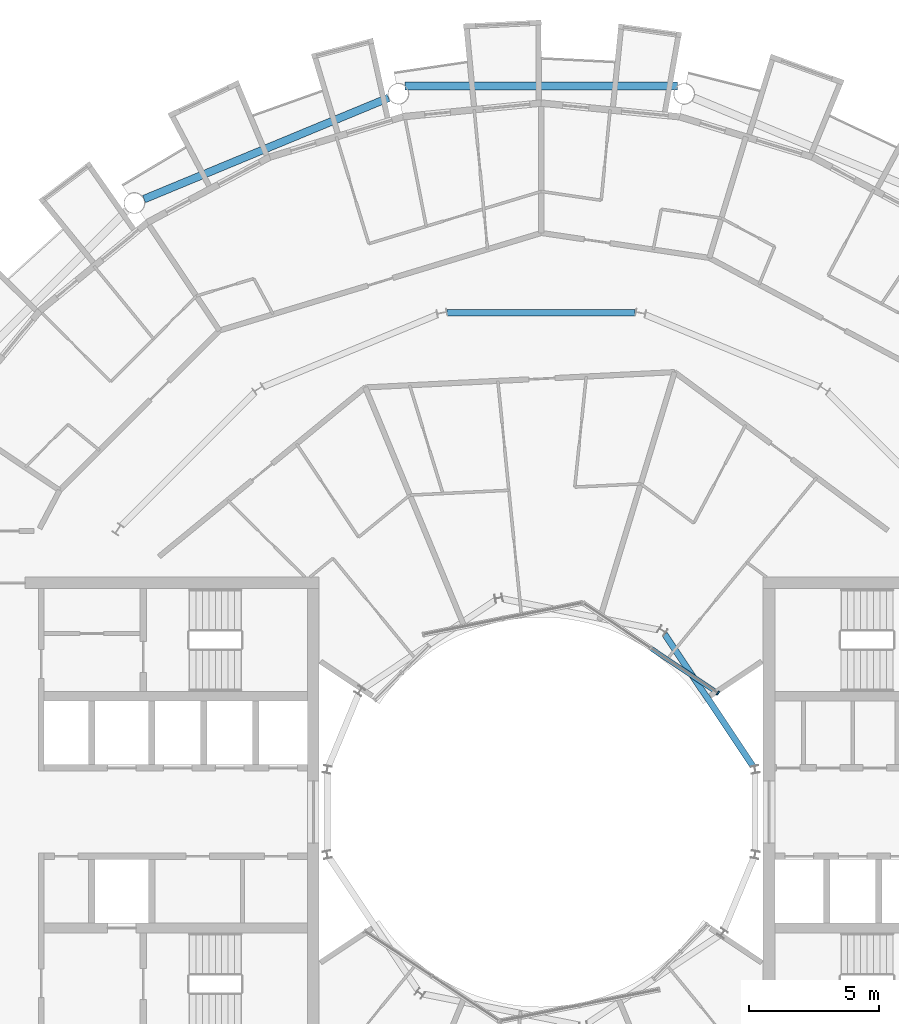
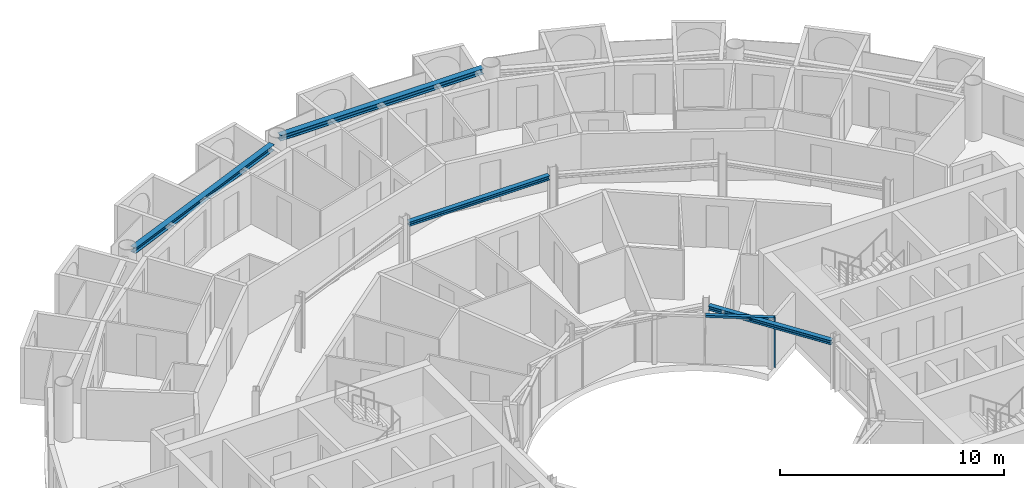
# One storey, part 10 of 29: 4 beams, 2 members, 1 element without a shape of its own.
"""IFC4 building model written with IfcOpenShell, lengths in metres."""

from ifc_helpers import new_model, si_unit, direction, frame, origin, origin_2d, place, context, subcontext, project, spatial, rectangle, i_section, extrude, material, layer, layer_set, material_profile, profile_set, type_object, element, aggregate, save


model = new_model("IFC4")

# Units and contexts
model_context = context("Model", 3, precision=1e-05, world=origin(), true_north=direction((0.0, 1.0)))
body_context = subcontext(model_context, "Body", "Model", "MODEL_VIEW")
ifc_project = project(units=[si_unit("LENGTHUNIT", "METRE"), si_unit("AREAUNIT", "SQUARE_METRE"), si_unit("VOLUMEUNIT", "CUBIC_METRE"), si_unit("PLANEANGLEUNIT", "RADIAN"), si_unit("MASSUNIT", "GRAM", prefix="KILO")], contexts=[model_context])

# Site, building, storey
site_placement = place(None, origin())
site = spatial("IfcSite", under=ifc_project, at=site_placement, CompositionType="ELEMENT")
building_placement = place(site_placement, origin())
building = spatial("IfcBuilding", under=site, at=building_placement, Name="Maasbend Ring Residences", CompositionType="ELEMENT")
storey_placement = place(building_placement, frame((0.0, 0.0, 205.449951171875)))
storey = spatial("IfcBuildingStorey", under=building, at=storey_placement, Name="L59", CompositionType="ELEMENT", Elevation=205.449951171875)

# Curtain wall, members
ifc_material_1 = material(Name="Aluminium and clear glass", Category="aluminium")
ifc_layer = layer(ifc_material_1, 0.179931640625)
ifc_layer_set = layer_set([ifc_layer], Name="CW-W")
curtain_wall_type = type_object("IfcCurtainWallType", Name="CW-W", PredefinedType="NOTDEFINED", material=ifc_layer_set)
curtain_wall_placement = place(storey_placement, origin())
curtain_wall = element("IfcCurtainWall", 1, at=curtain_wall_placement, inside=storey, type_object=curtain_wall_type, Name="Well curtain wall N1", PredefinedType="NOTDEFINED")
ifc_material_2 = material(Name="Aluminium 6063-T6", Category="aluminium")
ifc_material_profile_1 = material_profile(ifc_material_2, rectangle(XDim=0.179931640625, YDim=0.06005859375, at=origin_2d()), Name="AL 180x60")
ifc_profile_set_1 = profile_set([ifc_material_profile_1], Name="Aluminium 6063-T6")
member_type_1 = type_object("IfcMemberType", Name="CWM-W", PredefinedType="MULLION", material=ifc_profile_set_1)
member_1_placement = place(storey_placement, frame((6.805908203125, 4.580810546875, 0.0), z_axis=(0.0, 0.0, 1.0), x_axis=(-0.55557023302, -0.831469612303, 0.0)))
member_1 = element("IfcMember", 2, at=member_1_placement, type_object=member_type_1, Name="Mullion well face", PredefinedType="MULLION", context=body_context, shape_type="SweptSolid", body=[
    extrude(rectangle(XDim=0.179931640625, YDim=0.06005859375, at=origin_2d()), origin(), (0.0, 0.0, 1.0), 2.699951171875),
])
ifc_material_3 = material(Name="Aluminium 6063-T6", Category="aluminium")
ifc_material_profile_2 = material_profile(ifc_material_3, rectangle(XDim=0.179931640625, YDim=0.1201171875, at=origin_2d()), Name="AL 180x120")
ifc_profile_set_2 = profile_set([ifc_material_profile_2], Name="Aluminium 6063-T6")
member_type_2 = type_object("IfcMemberType", Name="CWT-W", PredefinedType="USERDEFINED", material=ifc_profile_set_2)
member_2_placement = place(storey_placement, frame((6.781005859375, 4.59765625, 2.64013671875), z_axis=(-0.831496422459, 0.555530106689, 0.0), x_axis=(-0.555530106689, -0.831496422459, 0.0)))
member_2 = element("IfcMember", 3, at=member_2_placement, type_object=member_type_2, Name="Transom well face", ObjectType="TRANSOM", PredefinedType="USERDEFINED", context=body_context, shape_type="SweptSolid", body=[
    extrude(rectangle(XDim=0.179931640625, YDim=0.1201171875, at=origin_2d()), origin(), (0.0, 0.0, 1.0), 3.053955078125),
])
aggregate(curtain_wall, [member_1, member_2])

# Beams
ifc_material_4 = material(Name="Steel S355J2", Category="steel")
ifc_material_profile_3 = material_profile(ifc_material_4, i_section(OverallWidth=0.239990234375, OverallDepth=0.22998046875, WebThickness=0.007568359375, FlangeThickness=0.011962890625, FilletRadius=0.02099609375, at=origin_2d()), Name="HEA 240")
ifc_profile_set_3 = profile_set([ifc_material_profile_3], Name="Steel S355J2")
beam_type_1 = type_object("IfcBeamType", Name="Corridor ring beam HEA 240", PredefinedType="BEAM", material=ifc_profile_set_3)
beam_1_placement = place(storey_placement, frame((3.619873046875, 19.223388671875, 2.5849609375), z_axis=(-1.0, 0.0, 0.0), x_axis=(0.0, -1.0, 0.0)))
element("IfcBeam", 4, at=beam_1_placement, inside=storey, type_object=beam_type_1, Name="Corridor ring beam", PredefinedType="BEAM", context=body_context, shape_type="SweptSolid", body=[
    extrude(i_section(OverallWidth=0.239990234375, OverallDepth=0.22998046875, WebThickness=0.007568359375, FlangeThickness=0.011962890625, FilletRadius=0.02099609375, at=origin_2d()), origin(), (0.0, 0.0, 1.0), 7.23974609375),
])
ifc_material_5 = material(Name="Steel S355J2", Category="steel")
ifc_material_profile_4 = material_profile(ifc_material_5, i_section(OverallWidth=0.300048828125, OverallDepth=0.300048828125, WebThickness=0.010986328125, FlangeThickness=0.01904296875, FilletRadius=0.027099609375, at=origin_2d()), Name="HEB 300")
ifc_profile_set_4 = profile_set([ifc_material_profile_4], Name="Steel S355J2")
beam_type_2 = type_object("IfcBeamType", Name="Spandrel ring beam HEB 300", PredefinedType="SPANDREL", material=ifc_profile_set_4)
beam_2_placement = place(storey_placement, frame((5.2451171875, 27.9580078125, 2.550048828125), z_axis=(-1.0, 0.0, 0.0), x_axis=(0.0, -1.0, 0.0)))
element("IfcBeam", 5, at=beam_2_placement, inside=storey, type_object=beam_type_2, Name="Spandrel ring beam", PredefinedType="SPANDREL", context=body_context, shape_type="SweptSolid", body=[
    extrude(i_section(OverallWidth=0.300048828125, OverallDepth=0.300048828125, WebThickness=0.010986328125, FlangeThickness=0.01904296875, FilletRadius=0.027099609375, at=origin_2d()), origin(), (0.0, 0.0, 1.0), 10.490234375),
])
beam_3_placement = place(storey_placement, frame((-5.877197265625, 27.50244140625, 2.550048828125), z_axis=(-0.923883676188, -0.382673428492, 0.0), x_axis=(0.382673428492, -0.923883676188, 0.0)))
element("IfcBeam", 6, at=beam_3_placement, inside=storey, type_object=beam_type_2, Name="Spandrel ring beam", PredefinedType="SPANDREL", context=body_context, shape_type="SweptSolid", body=[
    extrude(i_section(OverallWidth=0.300048828125, OverallDepth=0.300048828125, WebThickness=0.010986328125, FlangeThickness=0.01904296875, FilletRadius=0.027099609375, at=origin_2d()), origin(), (0.0, 0.0, 1.0), 10.18994140625),
])
ifc_material_6 = material(Name="Steel S355J2", Category="steel")
ifc_material_profile_5 = material_profile(ifc_material_6, i_section(OverallWidth=0.239990234375, OverallDepth=0.22998046875, WebThickness=0.007568359375, FlangeThickness=0.011962890625, FilletRadius=0.02099609375, at=origin_2d()), Name="HEA 240")
ifc_profile_set_5 = profile_set([ifc_material_profile_5], Name="Steel S355J2")
beam_type_3 = type_object("IfcBeamType", Name="Well edge beam HEA 240", PredefinedType="BEAM", material=ifc_profile_set_5)
beam_4_placement = place(storey_placement, frame((8.1513671875, 1.769287109375, 2.5849609375), z_axis=(-0.555584356119, 0.831460175376, 0.0), x_axis=(-0.831460175376, -0.555584356119, 0.0)))
element("IfcBeam", 7, at=beam_4_placement, inside=storey, type_object=beam_type_3, Name="Well edge beam", PredefinedType="BEAM", context=body_context, shape_type="SweptSolid", body=[
    extrude(i_section(OverallWidth=0.239990234375, OverallDepth=0.22998046875, WebThickness=0.007568359375, FlangeThickness=0.011962890625, FilletRadius=0.02099609375, at=origin_2d()), origin(), (0.0, 0.0, 1.0), 6.115234375),
])

save(model, "model.ifc")
